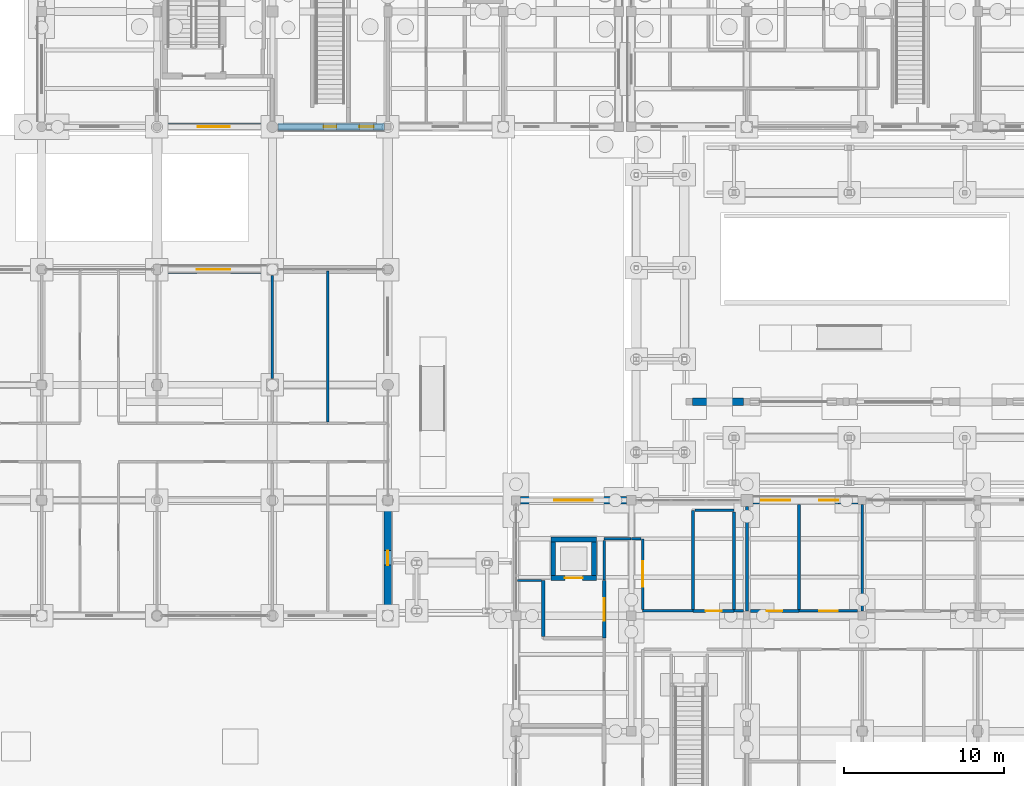
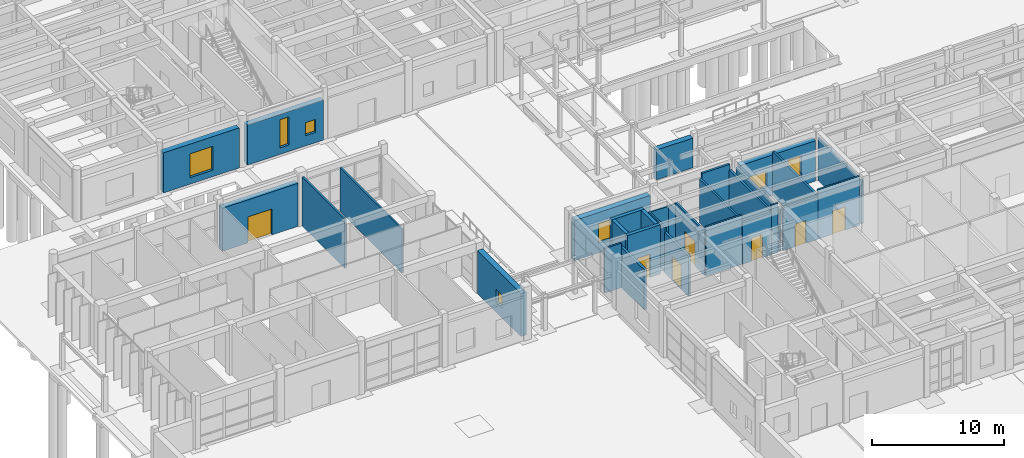
# One storey, part 97 of 143: 31 walls, 7 doors, 7 windows, 14 openings.
"""IFC4 building model written with IfcOpenShell, lengths in metres."""

from ifc_helpers import new_model, si_unit, direction, frame, frame_2d, origin, place, context, subcontext, project, spatial, rectangle, extrude, material, layer, layer_set, type_object, element, fill, save


model = new_model("IFC4")

# Units and contexts
model_context = context("Model", 3, precision=1e-05, world=origin(), true_north=direction((0.0, 1.0)))
body_context = subcontext(model_context, "Body", "Model", "MODEL_VIEW")
ifc_project = project(units=[si_unit("LENGTHUNIT", "METRE"), si_unit("AREAUNIT", "SQUARE_METRE"), si_unit("VOLUMEUNIT", "CUBIC_METRE"), si_unit("PLANEANGLEUNIT", "RADIAN"), si_unit("MASSUNIT", "GRAM", prefix="KILO")], contexts=[model_context])

# Site, building, storey
site_placement = place(None, origin())
site = spatial("IfcSite", under=ifc_project, at=site_placement, CompositionType="ELEMENT")
building_placement = place(site_placement, origin())
building = spatial("IfcBuilding", under=site, at=building_placement, Name="Steenspoor Specialist Clinic", CompositionType="ELEMENT")
storey_placement = place(building_placement, origin())
storey = spatial("IfcBuildingStorey", under=building, at=storey_placement, Name="L00", CompositionType="ELEMENT", Elevation=0.0)

# Wall, opening, window
ifc_material_1 = material(Name="Volcanic basalt ashlar masonry", Category="masonry")
ifc_layer_1 = layer(ifc_material_1, 0.47998046875)
ifc_layer_set_1 = layer_set([ifc_layer_1], Name="Volcanic basalt ashlar masonry")
wall_type_1 = type_object("IfcWallType", Name="W-BASALT-480", PredefinedType="SOLIDWALL", material=ifc_layer_set_1)
wall_1_placement = place(storey_placement, frame((45.47509765625, 41.85009765625, 0.0), z_axis=(0.0, 0.0, 1.0), x_axis=(1.0, 0.0, 0.0)))
wall_1 = element("IfcWall", 1, at=wall_1_placement, inside=storey, type_object=wall_type_1, Name="Exterior Brick Wall EW-V1-L00-0011", PredefinedType="SOLIDWALL", context=body_context, shape_type="SweptSolid", body=[
    extrude(rectangle(XDim=6.625, YDim=0.47998046875, at=frame_2d((3.3125, 0.0))), origin(), (0.0, 0.0, 1.0), 3.72998046875),
])
opening_1_placement = place(wall_1_placement, frame((2.112548828125, 0.0, 0.89990234375)))
opening_1 = element("IfcOpeningElement", 2, at=opening_1_placement, cuts=wall_1, Name="Opening WN-10", PredefinedType="OPENING", context=body_context, shape_type="SweptSolid", body=[
    extrude(rectangle(XDim=2.39990234375, YDim=1.800048828125, at=frame_2d((1.199951171875, 0.89990234375))), frame((0.0, 0.25, 0.0), z_axis=(0.0, -1.0, 0.0), x_axis=(1.0, 0.0, 0.0)), (0.0, 0.0, 1.0), 0.5),
])
ifc_material_2 = material(Name="Thermally broken aluminium and low-emissivity glass", Category="aluminium")
window_type_1 = type_object("IfcWindowType", Name="WN-EXT-240X180", PartitioningType="SINGLE_PANEL", PredefinedType="WINDOW", material=ifc_material_2)
window_1_placement = place(opening_1_placement, origin())
window_1 = element("IfcWindow", 3, at=window_1_placement, inside=storey, type_object=window_type_1, Name="Window 0010", OverallHeight=1.800048828125, OverallWidth=2.39990234375, PartitioningType="SINGLE_PANEL", PredefinedType="WINDOW", context=body_context, shape_type="SweptSolid", body=[
    extrude(rectangle(XDim=2.39990234375, YDim=1.800048828125, at=frame_2d((1.199951171875, 0.89990234375))), frame((0.0, 0.030029296875, 0.0), z_axis=(0.0, -1.0, 0.0), x_axis=(1.0, 0.0, 0.0)), (0.0, 0.0, 1.0), 0.06005859375),
])
fill(opening_1, window_1)

# Wall, openings, windows
wall_2_placement = place(storey_placement, frame((59.97509765625, 41.85009765625, 0.0), z_axis=(0.0, 0.0, 1.0), x_axis=(1.0, 0.0, 0.0)))
wall_2 = element("IfcWall", 4, at=wall_2_placement, inside=storey, type_object=wall_type_1, Name="Exterior Brick Wall EW-V1-L00-0012", PredefinedType="SOLIDWALL", context=body_context, shape_type="SweptSolid", body=[
    extrude(rectangle(XDim=6.574951171875, YDim=0.47998046875, at=frame_2d((3.28759765625, 0.0))), origin(), (0.0, 0.0, 1.0), 3.72998046875),
])
opening_2_placement = place(wall_2_placement, frame((0.527587890625, 0.0, 0.89990234375)))
opening_2 = element("IfcOpeningElement", 5, at=opening_2_placement, cuts=wall_2, Name="Opening WN-13", PredefinedType="OPENING", context=body_context, shape_type="SweptSolid", body=[
    extrude(rectangle(XDim=1.800048828125, YDim=1.5, at=frame_2d((0.89990234375, 0.75))), frame((0.0, 0.25, 0.0), z_axis=(0.0, -1.0, 0.0), x_axis=(1.0, 0.0, 0.0)), (0.0, 0.0, 1.0), 0.5),
])
opening_3_placement = place(wall_2_placement, frame((4.135009765625, 0.0, 0.60009765625)))
opening_3 = element("IfcOpeningElement", 6, at=opening_3_placement, cuts=wall_2, Name="Opening WN-15", PredefinedType="OPENING", context=body_context, shape_type="SweptSolid", body=[
    extrude(rectangle(XDim=1.199951171875, YDim=2.199951171875, at=frame_2d((0.60009765625, 1.10009765625))), frame((0.0, 0.25, 0.0), z_axis=(0.0, -1.0, 0.0), x_axis=(1.0, 0.0, 0.0)), (0.0, 0.0, 1.0), 0.5),
])
window_type_2 = type_object("IfcWindowType", Name="WN-EXT-120X220", PartitioningType="SINGLE_PANEL", PredefinedType="WINDOW", material=ifc_material_2)
window_2_placement = place(opening_3_placement, origin())
window_2 = element("IfcWindow", 7, at=window_2_placement, inside=storey, type_object=window_type_2, Name="Window 0012", OverallHeight=2.199951171875, OverallWidth=1.199951171875, PartitioningType="SINGLE_PANEL", PredefinedType="WINDOW", context=body_context, shape_type="SweptSolid", body=[
    extrude(rectangle(XDim=1.199951171875, YDim=2.199951171875, at=frame_2d((0.60009765625, 1.10009765625))), frame((0.0, 0.030029296875, 0.0), z_axis=(0.0, -1.0, 0.0), x_axis=(1.0, 0.0, 0.0)), (0.0, 0.0, 1.0), 0.06005859375),
])
fill(opening_3, window_2)
window_type_3 = type_object("IfcWindowType", Name="WN-EXT-180X150", PartitioningType="SINGLE_PANEL", PredefinedType="WINDOW", material=ifc_material_2)
window_3_placement = place(opening_2_placement, origin())
window_3 = element("IfcWindow", 8, at=window_3_placement, inside=storey, type_object=window_type_3, Name="Window 0011", OverallHeight=1.5, OverallWidth=1.800048828125, PartitioningType="SINGLE_PANEL", PredefinedType="WINDOW", context=body_context, shape_type="SweptSolid", body=[
    extrude(rectangle(XDim=1.800048828125, YDim=1.5, at=frame_2d((0.89990234375, 0.75))), frame((0.0, 0.030029296875, 0.0), z_axis=(0.0, -1.0, 0.0), x_axis=(1.0, 0.0, 0.0)), (0.0, 0.0, 1.0), 0.06005859375),
])
fill(opening_2, window_3)

# Wall, opening, door
wall_3_placement = place(storey_placement, frame((23.02490234375, 56.25, 0.0), z_axis=(0.0, 0.0, 1.0), x_axis=(1.0, 0.0, 0.0)))
wall_3 = element("IfcWall", 9, at=wall_3_placement, inside=storey, type_object=wall_type_1, Name="Exterior Brick Wall EW-V3-L00-0075", PredefinedType="SOLIDWALL", context=body_context, shape_type="SweptSolid", body=[
    extrude(rectangle(XDim=6.625, YDim=0.47998046875, at=frame_2d((3.3125, 0.0))), origin(), (0.0, 0.0, 1.0), 3.97998046875),
])
opening_4_placement = place(wall_3_placement, frame((2.262451171875, 0.0, 0.0)))
opening_4 = element("IfcOpeningElement", 10, at=opening_4_placement, cuts=wall_3, Name="Opening ED17", PredefinedType="OPENING", context=body_context, shape_type="SweptSolid", body=[
    extrude(rectangle(XDim=2.10009765625, YDim=2.39990234375, at=frame_2d((1.050048828125, 1.199951171875))), frame((0.0, 0.25, 0.0), z_axis=(0.0, -1.0, 0.0), x_axis=(1.0, 0.0, 0.0)), (0.0, 0.0, 1.0), 0.5),
])
ifc_material_3 = material(Name="Anodised aluminium and safety glass", Category="aluminium")
door_type_1 = type_object("IfcDoorType", Name="DT-EXIT-210X240", OperationType="NOTDEFINED", PredefinedType="DOOR", material=ifc_material_3)
door_1_placement = place(opening_4_placement, origin())
door_1 = element("IfcDoor", 11, at=door_1_placement, inside=storey, type_object=door_type_1, Name="Main Pedestrian Entrance Exit ED17", OperationType="DOUBLE_DOOR_SINGLE_SWING", OverallHeight=2.39990234375, OverallWidth=2.10009765625, PredefinedType="DOOR", context=body_context, shape_type="SweptSolid", body=[
    extrude(rectangle(XDim=2.10009765625, YDim=2.39990234375, at=frame_2d((1.050048828125, 1.199951171875))), frame((0.0, 0.02490234375, 0.0), z_axis=(0.0, -1.0, 0.0), x_axis=(1.0, 0.0, 0.0)), (0.0, 0.0, 1.0), 0.050048828125),
])
fill(opening_4, door_1)

# Wall, opening, window
wall_4_placement = place(storey_placement, frame((37.199951171875, 41.550048828125, 0.0), z_axis=(0.0, 0.0, 1.0), x_axis=(0.0, -1.0, 0.0)))
wall_4 = element("IfcWall", 12, at=wall_4_placement, inside=storey, type_object=wall_type_1, Name="Exterior Brick Wall EW-V3-L00-0077", PredefinedType="SOLIDWALL", context=body_context, shape_type="SweptSolid", body=[
    extrude(rectangle(XDim=6.574951171875, YDim=0.47998046875, at=frame_2d((3.28759765625, 0.0))), origin(), (0.0, 0.0, 1.0), 3.97998046875),
])
opening_5_placement = place(wall_4_placement, frame((2.83740234375, 0.0, 0.89990234375)))
opening_5 = element("IfcOpeningElement", 13, at=opening_5_placement, cuts=wall_4, Name="Opening WN-21", PredefinedType="OPENING", context=body_context, shape_type="SweptSolid", body=[
    extrude(rectangle(XDim=0.89990234375, YDim=1.199951171875, at=frame_2d((0.449951171875, 0.60009765625))), frame((0.0, 0.25, 0.0), z_axis=(0.0, -1.0, 0.0), x_axis=(1.0, 0.0, 0.0)), (0.0, 0.0, 1.0), 0.5),
])
window_type_4 = type_object("IfcWindowType", Name="WN-EXT-090X120", PartitioningType="SINGLE_PANEL", PredefinedType="WINDOW", material=ifc_material_2)
window_4_placement = place(opening_5_placement, origin())
window_4 = element("IfcWindow", 14, at=window_4_placement, inside=storey, type_object=window_type_4, Name="Window 0093", OverallHeight=1.199951171875, OverallWidth=0.89990234375, PartitioningType="SINGLE_PANEL", PredefinedType="WINDOW", context=body_context, shape_type="SweptSolid", body=[
    extrude(rectangle(XDim=0.89990234375, YDim=1.199951171875, at=frame_2d((0.449951171875, 0.60009765625))), frame((0.0, 0.030029296875, 0.0), z_axis=(0.0, -1.0, 0.0), x_axis=(1.0, 0.0, 0.0)), (0.0, 0.0, 1.0), 0.06005859375),
])
fill(opening_5, window_4)

# Wall, openings, windows
wall_5_placement = place(storey_placement, frame((37.0, 65.14990234375, 0.0), z_axis=(0.0, 0.0, 1.0), x_axis=(-1.0, 0.0, 0.0)))
wall_5 = element("IfcWall", 15, at=wall_5_placement, inside=storey, type_object=wall_type_1, Name="Exterior Brick Wall EW-V5-L00-0234", PredefinedType="SOLIDWALL", context=body_context, shape_type="SweptSolid", body=[
    extrude(rectangle(XDim=6.64990234375, YDim=0.47998046875, at=frame_2d((3.324951171875, 0.0))), origin(), (0.0, 0.0, 1.0), 3.699951171875),
])
opening_6_placement = place(wall_5_placement, frame((0.677490234375, 0.0, 0.949951171875)))
opening_6 = element("IfcOpeningElement", 16, at=opening_6_placement, cuts=wall_5, Name="Opening WN-21", PredefinedType="OPENING", context=body_context, shape_type="SweptSolid", body=[
    extrude(rectangle(XDim=0.89990234375, YDim=1.199951171875, at=frame_2d((0.449951171875, 0.60009765625))), frame((0.0, 0.25, 0.0), z_axis=(0.0, -1.0, 0.0), x_axis=(1.0, 0.0, 0.0)), (0.0, 0.0, 1.0), 0.5),
])
opening_7_placement = place(wall_5_placement, frame((3.0, 0.0, 0.60009765625)))
opening_7 = element("IfcOpeningElement", 17, at=opening_7_placement, cuts=wall_5, Name="Opening WN-24", PredefinedType="OPENING", context=body_context, shape_type="SweptSolid", body=[
    extrude(rectangle(XDim=0.800048828125, YDim=2.60009765625, at=frame_2d((0.39990234375, 1.300048828125))), frame((0.0, 0.25, 0.0), z_axis=(0.0, -1.0, 0.0), x_axis=(1.0, 0.0, 0.0)), (0.0, 0.0, 1.0), 0.5),
])
window_type_5 = type_object("IfcWindowType", Name="WN-EXT-080X260", PartitioningType="SINGLE_PANEL", PredefinedType="WINDOW", material=ifc_material_2)
window_5_placement = place(opening_7_placement, origin())
window_5 = element("IfcWindow", 18, at=window_5_placement, inside=storey, type_object=window_type_5, Name="Window 0256", OverallHeight=2.60009765625, OverallWidth=0.800048828125, PartitioningType="SINGLE_PANEL", PredefinedType="WINDOW", context=body_context, shape_type="SweptSolid", body=[
    extrude(rectangle(XDim=0.800048828125, YDim=2.60009765625, at=frame_2d((0.39990234375, 1.300048828125))), frame((0.0, 0.030029296875, 0.0), z_axis=(0.0, -1.0, 0.0), x_axis=(1.0, 0.0, 0.0)), (0.0, 0.0, 1.0), 0.06005859375),
])
fill(opening_7, window_5)
window_6_placement = place(opening_6_placement, origin())
window_6 = element("IfcWindow", 19, at=window_6_placement, inside=storey, type_object=window_type_4, Name="Window 0255", OverallHeight=1.199951171875, OverallWidth=0.89990234375, PartitioningType="SINGLE_PANEL", PredefinedType="WINDOW", context=body_context, shape_type="SweptSolid", body=[
    extrude(rectangle(XDim=0.89990234375, YDim=1.199951171875, at=frame_2d((0.449951171875, 0.60009765625))), frame((0.0, 0.030029296875, 0.0), z_axis=(0.0, -1.0, 0.0), x_axis=(1.0, 0.0, 0.0)), (0.0, 0.0, 1.0), 0.06005859375),
])
fill(opening_6, window_6)

# Wall, opening, window
wall_6_placement = place(storey_placement, frame((29.64990234375, 65.14990234375, 0.0), z_axis=(0.0, 0.0, 1.0), x_axis=(-1.0, 0.0, 0.0)))
wall_6 = element("IfcWall", 20, at=wall_6_placement, inside=storey, type_object=wall_type_1, Name="Exterior Brick Wall EW-V5-L00-0235", PredefinedType="SOLIDWALL", context=body_context, shape_type="SweptSolid", body=[
    extrude(rectangle(XDim=6.599853515625, YDim=0.47998046875, at=frame_2d((3.2998046875, 0.0))), origin(), (0.0, 0.0, 1.0), 3.699951171875),
])
opening_8_placement = place(wall_6_placement, frame((2.300048828125, 0.0, 0.60009765625)))
opening_8 = element("IfcOpeningElement", 21, at=opening_8_placement, cuts=wall_6, Name="Opening WN-17", PredefinedType="OPENING", context=body_context, shape_type="SweptSolid", body=[
    extrude(rectangle(XDim=2.0, YDim=2.199951171875, at=frame_2d((1.0, 1.10009765625))), frame((0.0, 0.25, 0.0), z_axis=(0.0, -1.0, 0.0), x_axis=(1.0, 0.0, 0.0)), (0.0, 0.0, 1.0), 0.5),
])
window_type_6 = type_object("IfcWindowType", Name="WN-EXT-200X220", PartitioningType="SINGLE_PANEL", PredefinedType="WINDOW", material=ifc_material_2)
window_7_placement = place(opening_8_placement, origin())
window_7 = element("IfcWindow", 22, at=window_7_placement, inside=storey, type_object=window_type_6, Name="Window 0257", OverallHeight=2.199951171875, OverallWidth=2.0, PartitioningType="SINGLE_PANEL", PredefinedType="WINDOW", context=body_context, shape_type="SweptSolid", body=[
    extrude(rectangle(XDim=2.0, YDim=2.199951171875, at=frame_2d((1.0, 1.10009765625))), frame((0.0, 0.030029296875, 0.0), z_axis=(0.0, -1.0, 0.0), x_axis=(1.0, 0.0, 0.0)), (0.0, 0.0, 1.0), 0.06005859375),
])
fill(opening_8, window_7)

# Walls
wall_7_placement = place(storey_placement, frame((56.2099609375, 48.0, 0.0), z_axis=(0.0, 0.0, 1.0), x_axis=(1.0, 0.0, 0.0)))
element("IfcWall", 23, at=wall_7_placement, inside=storey, type_object=wall_type_1, Name="Campus Courtyard Screen Wall YW-CT-01", PredefinedType="SOLIDWALL", context=body_context, shape_type="SweptSolid", body=[
    extrude(rectangle(XDim=3.179931640625, YDim=0.47998046875, at=frame_2d((1.58984375, 0.0))), origin(), (0.0, 0.0, 1.0), 2.75),
])
ifc_material_4 = material(Name="Gypsum acoustic clinical partition", Category="gypsum")
ifc_layer_2 = layer(ifc_material_4, 0.14990234375)
ifc_layer_set_2 = layer_set([ifc_layer_2], Name="Gypsum acoustic clinical partition")
wall_type_2 = type_object("IfcWallType", Name="W-CLIN-150", PredefinedType="PARTITIONING", material=ifc_layer_set_2)
wall_8_placement = place(storey_placement, frame((58.81494140625, 34.949951171875, 0.0), z_axis=(0.0, 0.0, 1.0), x_axis=(1.0, 0.0, 0.0)))
element("IfcWall", 24, at=wall_8_placement, inside=storey, type_object=wall_type_2, Name="Interior Partition IW-V1-L00-0158", PredefinedType="PARTITIONING", context=body_context, shape_type="SweptSolid", body=[
    extrude(rectangle(XDim=0.570068359375, YDim=0.14990234375, at=frame_2d((0.28515625, 0.0))), origin(), (0.0, 0.0, 1.0), 4.550048828125),
])
wall_9_placement = place(storey_placement, frame((53.10009765625, 34.949951171875, 0.0), z_axis=(0.0, 0.0, 1.0), x_axis=(1.0, 0.0, 0.0)))
element("IfcWall", 25, at=wall_9_placement, inside=storey, type_object=wall_type_2, Name="Interior Partition IW-V1-L00-0159", PredefinedType="PARTITIONING", context=body_context, shape_type="SweptSolid", body=[
    extrude(rectangle(XDim=3.135009765625, YDim=0.14990234375, at=frame_2d((1.5673828125, 0.0))), origin(), (0.0, 0.0, 1.0), 4.550048828125),
])

# Wall, opening, door
wall_10_placement = place(storey_placement, frame((53.10009765625, 35.0400390625, 0.0), z_axis=(0.0, 0.0, 1.0), x_axis=(0.0, 1.0, 0.0)))
wall_10 = element("IfcWall", 26, at=wall_10_placement, inside=storey, type_object=wall_type_2, Name="Interior Partition IW-V1-L00-0160", PredefinedType="PARTITIONING", context=body_context, shape_type="SweptSolid", body=[
    extrude(rectangle(XDim=4.409912109375, YDim=0.14990234375, at=frame_2d((2.205078125, 0.0))), origin(), (0.0, 0.0, 1.0), 4.074951171875),
])
opening_9_placement = place(wall_10_placement, frame((1.405029296875, 0.0, 0.0)))
opening_9 = element("IfcOpeningElement", 27, at=opening_9_placement, cuts=wall_10, Name="Opening D0037", PredefinedType="OPENING", context=body_context, shape_type="SweptSolid", body=[
    extrude(rectangle(XDim=1.60009765625, YDim=2.25, at=frame_2d((0.800048828125, 1.125))), frame((0.0, 0.0849609375, 0.0), z_axis=(0.0, -1.0, 0.0), x_axis=(1.0, 0.0, 0.0)), (0.0, 0.0, 1.0), 0.169921875),
])
ifc_material_5 = material(Name="Hygienic HPL clinical timber door", Category="wood")
door_type_2 = type_object("IfcDoorType", Name="DT-PROC-160X225", OperationType="NOTDEFINED", PredefinedType="DOOR", material=ifc_material_5)
door_2_placement = place(opening_9_placement, origin())
door_2 = element("IfcDoor", 28, at=door_2_placement, inside=storey, type_object=door_type_2, Name="Clinical Door D0037", OperationType="SINGLE_SWING_RIGHT", OverallHeight=2.25, OverallWidth=1.60009765625, PredefinedType="DOOR", context=body_context, shape_type="SweptSolid", body=[
    extrude(rectangle(XDim=1.60009765625, YDim=2.25, at=frame_2d((0.800048828125, 1.125))), frame((0.0, 0.02490234375, 0.0), z_axis=(0.0, -1.0, 0.0), x_axis=(1.0, 0.0, 0.0)), (0.0, 0.0, 1.0), 0.050048828125),
])
fill(opening_9, door_2)

# Walls
wall_11_placement = place(storey_placement, frame((52.39990234375, 39.449951171875, 0.0), z_axis=(0.0, 0.0, 1.0), x_axis=(1.0, 0.0, 0.0)))
element("IfcWall", 29, at=wall_11_placement, inside=storey, type_object=wall_type_2, Name="Interior Partition IW-V1-L00-0161", PredefinedType="PARTITIONING", context=body_context, shape_type="SweptSolid", body=[
    extrude(rectangle(XDim=0.610107421875, YDim=0.14990234375, at=frame_2d((0.30517578125, 0.0))), origin(), (0.0, 0.0, 1.0), 3.985107421875),
])
wall_12_placement = place(storey_placement, frame((50.699951171875, 39.449951171875, 0.0), z_axis=(0.0, 0.0, 1.0), x_axis=(1.0, 0.0, 0.0)))
element("IfcWall", 30, at=wall_12_placement, inside=storey, type_object=wall_type_2, Name="Interior Partition IW-V1-L00-0162", PredefinedType="PARTITIONING", context=body_context, shape_type="SweptSolid", body=[
    extrude(rectangle(XDim=1.68505859375, YDim=0.14990234375, at=frame_2d((0.842529296875, 0.0))), origin(), (0.0, 0.0, 1.0), 3.985107421875),
])
wall_13_placement = place(storey_placement, frame((50.699951171875, 36.864990234375, 0.0), z_axis=(0.0, 0.0, 1.0), x_axis=(0.0, 1.0, 0.0)))
element("IfcWall", 31, at=wall_13_placement, inside=storey, type_object=wall_type_2, Name="Interior Partition IW-V1-L00-0163", PredefinedType="PARTITIONING", context=body_context, shape_type="SweptSolid", body=[
    extrude(rectangle(XDim=2.4951171875, YDim=0.14990234375, at=frame_2d((1.24755859375, 0.0))), origin(), (0.0, 0.0, 1.0), 4.114990234375),
])

# Wall, opening, door
wall_14_placement = place(storey_placement, frame((62.864990234375, 34.949951171875, 0.0), z_axis=(0.0, 0.0, 1.0), x_axis=(1.0, 0.0, 0.0)))
wall_14 = element("IfcWall", 32, at=wall_14_placement, inside=storey, type_object=wall_type_2, Name="Interior Partition IW-V1-L00-0183", PredefinedType="PARTITIONING", context=body_context, shape_type="SweptSolid", body=[
    extrude(rectangle(XDim=3.64501953125, YDim=0.14990234375, at=frame_2d((1.822509765625, 0.0))), origin(), (0.0, 0.0, 1.0), 4.550048828125),
])
opening_10_placement = place(wall_14_placement, frame((1.24755859375, 0.0, 0.0)))
opening_10 = element("IfcOpeningElement", 33, at=opening_10_placement, cuts=wall_14, Name="Opening D0039", PredefinedType="OPENING", context=body_context, shape_type="SweptSolid", body=[
    extrude(rectangle(XDim=1.14990234375, YDim=2.14990234375, at=frame_2d((0.574951171875, 1.074951171875))), frame((0.0, 0.0849609375, 0.0), z_axis=(0.0, -1.0, 0.0), x_axis=(1.0, 0.0, 0.0)), (0.0, 0.0, 1.0), 0.169921875),
])
ifc_material_6 = material(Name="Solid-core hardwood clinical door", Category="wood")
door_type_3 = type_object("IfcDoorType", Name="DT-CONS-115X215", OperationType="NOTDEFINED", PredefinedType="DOOR", material=ifc_material_6)
door_3_placement = place(opening_10_placement, origin())
door_3 = element("IfcDoor", 34, at=door_3_placement, inside=storey, type_object=door_type_3, Name="Clinical Door D0039", OperationType="SINGLE_SWING_RIGHT", OverallHeight=2.14990234375, OverallWidth=1.14990234375, PredefinedType="DOOR", context=body_context, shape_type="SweptSolid", body=[
    extrude(rectangle(XDim=1.14990234375, YDim=2.14990234375, at=frame_2d((0.574951171875, 1.074951171875))), frame((0.0, 0.02490234375, 0.0), z_axis=(0.0, -1.0, 0.0), x_axis=(1.0, 0.0, 0.0)), (0.0, 0.0, 1.0), 0.050048828125),
])
fill(opening_10, door_3)

# Walls
wall_15_placement = place(storey_placement, frame((45.304931640625, 36.85009765625, 0.0), z_axis=(0.0, 0.0, 1.0), x_axis=(1.0, 0.0, 0.0)))
element("IfcWall", 35, at=wall_15_placement, inside=storey, type_object=wall_type_2, Name="Interior Partition IW-V1-L00-0544", PredefinedType="PARTITIONING", context=body_context, shape_type="SweptSolid", body=[
    extrude(rectangle(XDim=1.47998046875, YDim=0.14990234375, at=frame_2d((0.739990234375, 0.0))), origin(), (0.0, 0.0, 1.0), 4.114990234375),
])
wall_16_placement = place(storey_placement, frame((66.800048828125, 34.949951171875, 0.0), z_axis=(0.0, 0.0, 1.0), x_axis=(0.0, 1.0, 0.0)))
element("IfcWall", 36, at=wall_16_placement, inside=storey, type_object=wall_type_2, Name="Interior Partition IW-V1-L00-0565", PredefinedType="PARTITIONING", context=body_context, shape_type="SweptSolid", body=[
    extrude(rectangle(XDim=6.635009765625, YDim=0.14990234375, at=frame_2d((3.3173828125, 0.0))), origin(), (0.0, 0.0, 1.0), 3.955078125),
])
wall_17_placement = place(storey_placement, frame((30.0, 49.43994140625, 0.0), z_axis=(0.0, 0.0, 1.0), x_axis=(0.0, 1.0, 0.0)))
element("IfcWall", 37, at=wall_17_placement, inside=storey, type_object=wall_type_2, Name="Interior Partition IW-V3-L00-0596", PredefinedType="PARTITIONING", context=body_context, shape_type="SweptSolid", body=[
    extrude(rectangle(XDim=6.445068359375, YDim=0.14990234375, at=frame_2d((3.22265625, 0.0))), origin(), (0.0, 0.0, 1.0), 4.550048828125),
])
wall_18_placement = place(storey_placement, frame((33.449951171875, 46.739990234375, 0.0), z_axis=(0.0, 0.0, 1.0), x_axis=(0.0, 1.0, 0.0)))
element("IfcWall", 38, at=wall_18_placement, inside=storey, type_object=wall_type_2, Name="Interior Partition IW-V3-L00-0597", PredefinedType="PARTITIONING", context=body_context, shape_type="SweptSolid", body=[
    extrude(rectangle(XDim=9.405029296875, YDim=0.14990234375, at=frame_2d((4.70263671875, 0.0))), origin(), (0.0, 0.0, 1.0), 4.0400390625),
])

# Wall, opening, door
ifc_material_7 = material(Name="Moisture-resistant gypsum plumbing wall", Category="gypsum")
ifc_layer_3 = layer(ifc_material_7, 0.179931640625)
ifc_layer_set_3 = layer_set([ifc_layer_3], Name="Moisture-resistant gypsum plumbing wall")
wall_type_3 = type_object("IfcWallType", Name="W-PLUMB-180", PredefinedType="PLUMBINGWALL", material=ifc_layer_set_3)
wall_19_placement = place(storey_placement, frame((56.25, 34.949951171875, 0.0), z_axis=(0.0, 0.0, 1.0), x_axis=(1.0, 0.0, 0.0)))
wall_19 = element("IfcWall", 39, at=wall_19_placement, inside=storey, type_object=wall_type_3, Name="Interior Partition IW-V1-L00-0010", PredefinedType="PLUMBINGWALL", context=body_context, shape_type="SweptSolid", body=[
    extrude(rectangle(XDim=2.550048828125, YDim=0.179931640625, at=frame_2d((1.27490234375, 0.0))), origin(), (0.0, 0.0, 1.0), 3.8349609375),
])
opening_11_placement = place(wall_19_placement, frame((0.77490234375, 0.0, 0.0)))
opening_11 = element("IfcOpeningElement", 40, at=opening_11_placement, cuts=wall_19, Name="Opening D0036", PredefinedType="OPENING", context=body_context, shape_type="SweptSolid", body=[
    extrude(rectangle(XDim=1.0, YDim=2.14990234375, at=frame_2d((0.5, 1.074951171875))), frame((0.0, 0.10009765625, 0.0), z_axis=(0.0, -1.0, 0.0), x_axis=(1.0, 0.0, 0.0)), (0.0, 0.0, 1.0), 0.199951171875),
])
ifc_material_8 = material(Name="Moisture-resistant HPL accessible WC door", Category="wood")
door_type_4 = type_object("IfcDoorType", Name="DT-AWC-100X215", OperationType="NOTDEFINED", PredefinedType="DOOR", material=ifc_material_8)
door_4_placement = place(opening_11_placement, origin())
door_4 = element("IfcDoor", 41, at=door_4_placement, inside=storey, type_object=door_type_4, Name="Clinical Door D0036", OperationType="SINGLE_SWING_LEFT", OverallHeight=2.14990234375, OverallWidth=1.0, PredefinedType="DOOR", context=body_context, shape_type="SweptSolid", body=[
    extrude(rectangle(XDim=1.0, YDim=2.14990234375, at=frame_2d((0.5, 1.074951171875))), frame((0.0, 0.02490234375, 0.0), z_axis=(0.0, -1.0, 0.0), x_axis=(1.0, 0.0, 0.0)), (0.0, 0.0, 1.0), 0.050048828125),
])
fill(opening_11, door_4)

# Walls
wall_20_placement = place(storey_placement, frame((56.25, 35.054931640625, 0.0), z_axis=(0.0, 0.0, 1.0), x_axis=(0.0, 1.0, 0.0)))
element("IfcWall", 42, at=wall_20_placement, inside=storey, type_object=wall_type_3, Name="Interior Partition IW-V1-L00-0030", PredefinedType="PLUMBINGWALL", context=body_context, shape_type="SweptSolid", body=[
    extrude(rectangle(XDim=6.175048828125, YDim=0.179931640625, at=frame_2d((3.08740234375, 0.0))), origin(), (0.0, 0.0, 1.0), 4.074951171875),
])
wall_21_placement = place(storey_placement, frame((56.35498046875, 41.22998046875, 0.0), z_axis=(0.0, 0.0, 1.0), x_axis=(1.0, 0.0, 0.0)))
element("IfcWall", 43, at=wall_21_placement, inside=storey, type_object=wall_type_3, Name="Interior Partition IW-V1-L00-0031", PredefinedType="PLUMBINGWALL", context=body_context, shape_type="SweptSolid", body=[
    extrude(rectangle(XDim=2.445068359375, YDim=0.179931640625, at=frame_2d((1.22265625, 0.0))), origin(), (0.0, 0.0, 1.0), 4.550048828125),
])
wall_22_placement = place(storey_placement, frame((58.800048828125, 35.054931640625, 0.0), z_axis=(0.0, 0.0, 1.0), x_axis=(0.0, 1.0, 0.0)))
element("IfcWall", 44, at=wall_22_placement, inside=storey, type_object=wall_type_3, Name="Interior Partition IW-V1-L00-0032", PredefinedType="PLUMBINGWALL", context=body_context, shape_type="SweptSolid", body=[
    extrude(rectangle(XDim=6.070068359375, YDim=0.179931640625, at=frame_2d((3.03515625, 0.0))), origin(), (0.0, 0.0, 1.0), 4.074951171875),
])

# Wall, opening, door
wall_23_placement = place(storey_placement, frame((59.81494140625, 34.949951171875, 0.0), z_axis=(0.0, 0.0, 1.0), x_axis=(1.0, 0.0, 0.0)))
wall_23 = element("IfcWall", 45, at=wall_23_placement, inside=storey, type_object=wall_type_3, Name="Interior Partition IW-V1-L00-0130", PredefinedType="PLUMBINGWALL", context=body_context, shape_type="SweptSolid", body=[
    extrude(rectangle(XDim=3.03515625, YDim=0.179931640625, at=frame_2d((1.517578125, 0.0))), origin(), (0.0, 0.0, 1.0), 3.955078125),
])
opening_12_placement = place(wall_23_placement, frame((1.04248046875, 0.0, 0.0)))
opening_12 = element("IfcOpeningElement", 46, at=opening_12_placement, cuts=wall_23, Name="Opening D0038", PredefinedType="OPENING", context=body_context, shape_type="SweptSolid", body=[
    extrude(rectangle(XDim=0.949951171875, YDim=2.10009765625, at=frame_2d((0.47509765625, 1.050048828125))), frame((0.0, 0.10009765625, 0.0), z_axis=(0.0, -1.0, 0.0), x_axis=(1.0, 0.0, 0.0)), (0.0, 0.0, 1.0), 0.199951171875),
])
ifc_material_9 = material(Name="Moisture-resistant HPL sanitary door", Category="wood")
door_type_5 = type_object("IfcDoorType", Name="DT-WC-095X210", OperationType="NOTDEFINED", PredefinedType="DOOR", material=ifc_material_9)
door_5_placement = place(opening_12_placement, origin())
door_5 = element("IfcDoor", 47, at=door_5_placement, inside=storey, type_object=door_type_5, Name="Clinical Door D0038", OperationType="SINGLE_SWING_LEFT", OverallHeight=2.10009765625, OverallWidth=0.949951171875, PredefinedType="DOOR", context=body_context, shape_type="SweptSolid", body=[
    extrude(rectangle(XDim=0.949951171875, YDim=2.10009765625, at=frame_2d((0.47509765625, 1.050048828125))), frame((0.0, 0.02490234375, 0.0), z_axis=(0.0, -1.0, 0.0), x_axis=(1.0, 0.0, 0.0)), (0.0, 0.0, 1.0), 0.050048828125),
])
fill(opening_12, door_5)

# Walls
wall_24_placement = place(storey_placement, frame((59.60009765625, 34.949951171875, 0.0), z_axis=(0.0, 0.0, 1.0), x_axis=(0.0, 1.0, 0.0)))
element("IfcWall", 48, at=wall_24_placement, inside=storey, type_object=wall_type_3, Name="Interior Partition IW-V1-L00-0508", PredefinedType="PLUMBINGWALL", context=body_context, shape_type="SweptSolid", body=[
    extrude(rectangle(XDim=6.510009765625, YDim=0.179931640625, at=frame_2d((3.2548828125, 0.0))), origin(), (0.0, 0.0, 1.0), 3.8349609375),
])
wall_25_placement = place(storey_placement, frame((62.85009765625, 35.054931640625, 0.0), z_axis=(0.0, 0.0, 1.0), x_axis=(0.0, 1.0, 0.0)))
element("IfcWall", 49, at=wall_25_placement, inside=storey, type_object=wall_type_3, Name="Interior Partition IW-V1-L00-0509", PredefinedType="PLUMBINGWALL", context=body_context, shape_type="SweptSolid", body=[
    extrude(rectangle(XDim=6.5400390625, YDim=0.179931640625, at=frame_2d((3.27001953125, 0.0))), origin(), (0.0, 0.0, 1.0), 4.074951171875),
])

# Wall, opening, door
ifc_material_10 = material(Name="Gypsum acoustic smoke barrier board", Category="gypsum")
ifc_layer_4 = layer(ifc_material_10, 0.199951171875)
ifc_layer_set_4 = layer_set([ifc_layer_4], Name="Gypsum acoustic smoke barrier board")
wall_type_4 = type_object("IfcWallType", Name="W-SMOKE-200", PredefinedType="PARTITIONING", material=ifc_layer_set_4)
wall_26_placement = place(storey_placement, frame((50.699951171875, 33.25, 0.0), z_axis=(0.0, 0.0, 1.0), x_axis=(0.0, 1.0, 0.0)))
wall_26 = element("IfcWall", 50, at=wall_26_placement, inside=storey, type_object=wall_type_4, Name="Interior Partition IW-V1-L00-0003", PredefinedType="PARTITIONING", context=body_context, shape_type="SweptSolid", body=[
    extrude(rectangle(XDim=3.60009765625, YDim=0.199951171875, at=frame_2d((1.800048828125, 0.0))), origin(), (0.0, 0.0, 1.0), 3.735107421875),
])
opening_13_placement = place(wall_26_placement, frame((1.10009765625, 0.0, 0.0)))
opening_13 = element("IfcOpeningElement", 51, at=opening_13_placement, cuts=wall_26, Name="Opening D0001", PredefinedType="OPENING", context=body_context, shape_type="SweptSolid", body=[
    extrude(rectangle(XDim=1.39990234375, YDim=2.199951171875, at=frame_2d((0.699951171875, 1.10009765625))), frame((0.0, 0.10986328125, 0.0), z_axis=(0.0, -1.0, 0.0), x_axis=(1.0, 0.0, 0.0)), (0.0, 0.0, 1.0), 0.219970703125),
])
ifc_material_11 = material(Name="Fire-rated clinical laminate door", Category="steel")
door_type_6 = type_object("IfcDoorType", Name="DT-LAB-140X220", OperationType="NOTDEFINED", PredefinedType="DOOR", material=ifc_material_11)
door_6_placement = place(opening_13_placement, origin())
door_6 = element("IfcDoor", 52, at=door_6_placement, inside=storey, type_object=door_type_6, Name="Lift Lobby Fire Door D0001", OperationType="SINGLE_SWING_RIGHT", OverallHeight=2.199951171875, OverallWidth=1.39990234375, PredefinedType="DOOR", context=body_context, shape_type="SweptSolid", body=[
    extrude(rectangle(XDim=1.39990234375, YDim=2.199951171875, at=frame_2d((0.699951171875, 1.10009765625))), frame((0.0, 0.02490234375, 0.0), z_axis=(0.0, -1.0, 0.0), x_axis=(1.0, 0.0, 0.0)), (0.0, 0.0, 1.0), 0.050048828125),
])
fill(opening_13, door_6)

# Wall
wall_27_placement = place(storey_placement, frame((46.89990234375, 33.364990234375, 0.0), z_axis=(0.0, 0.0, 1.0), x_axis=(0.0, 1.0, 0.0)))
element("IfcWall", 53, at=wall_27_placement, inside=storey, type_object=wall_type_4, Name="Interior Partition IW-V1-L00-0024", PredefinedType="PARTITIONING", context=body_context, shape_type="SweptSolid", body=[
    extrude(rectangle(XDim=3.485107421875, YDim=0.199951171875, at=frame_2d((1.74267578125, 0.0))), origin(), (0.0, 0.0, 1.0), 3.735107421875),
])

# Wall, opening, door
ifc_material_12 = material(Name="Concrete C40/50", Category="concrete")
ifc_layer_5 = layer(ifc_material_12, 0.300048828125)
ifc_layer_set_5 = layer_set([ifc_layer_5], Name="Concrete C40/50")
wall_type_5 = type_object("IfcWallType", Name="W-SW-300", PredefinedType="SHEAR", material=ifc_layer_set_5)
wall_28_placement = place(storey_placement, frame((47.375, 37.0, 0.0), z_axis=(0.0, 0.0, 1.0), x_axis=(1.0, 0.0, 0.0)))
wall_28 = element("IfcWall", 54, at=wall_28_placement, inside=storey, type_object=wall_type_5, Name="Lift Shaft Shear Wall SW-EL-P4-L00-S", PredefinedType="SHEAR", context=body_context, shape_type="SweptSolid", body=[
    extrude(rectangle(XDim=2.85009765625, YDim=0.300048828125, at=frame_2d((1.425048828125, 0.0))), origin(), (0.0, 0.0, 1.0), 4.550048828125),
])
opening_14_placement = place(wall_28_placement, frame((0.875, 0.0, 0.0)))
opening_14 = element("IfcOpeningElement", 55, at=opening_14_placement, cuts=wall_28, Name="Opening LD27", PredefinedType="OPENING", context=body_context, shape_type="SweptSolid", body=[
    extrude(rectangle(XDim=1.10009765625, YDim=2.14990234375, at=frame_2d((0.550048828125, 1.074951171875))), frame((0.0, 0.16015625, 0.0), z_axis=(0.0, -1.0, 0.0), x_axis=(1.0, 0.0, 0.0)), (0.0, 0.0, 1.0), 0.320068359375),
])
ifc_material_13 = material(Name="Stainless steel lift landing door", Category="steel")
door_type_7 = type_object("IfcDoorType", Name="DT-LIFT-P-110", OperationType="NOTDEFINED", PredefinedType="DOOR", material=ifc_material_13)
door_7_placement = place(opening_14_placement, origin())
door_7 = element("IfcDoor", 56, at=door_7_placement, inside=storey, type_object=door_type_7, Name="Lift Landing Door LD27", OperationType="SLIDING_TO_LEFT", OverallHeight=2.14990234375, OverallWidth=1.10009765625, PredefinedType="DOOR", context=body_context, shape_type="SweptSolid", body=[
    extrude(rectangle(XDim=1.10009765625, YDim=2.14990234375, at=frame_2d((0.550048828125, 1.074951171875))), frame((0.0, 0.02490234375, 0.0), z_axis=(0.0, -1.0, 0.0), x_axis=(1.0, 0.0, 0.0)), (0.0, 0.0, 1.0), 0.050048828125),
])
fill(opening_14, door_7)

# Walls
wall_29_placement = place(storey_placement, frame((47.375, 39.39990234375, 0.0), z_axis=(0.0, 0.0, 1.0), x_axis=(1.0, 0.0, 0.0)))
element("IfcWall", 57, at=wall_29_placement, inside=storey, type_object=wall_type_5, Name="Lift Shaft Shear Wall SW-EL-P4-L00-N", PredefinedType="SHEAR", context=body_context, shape_type="SweptSolid", body=[
    extrude(rectangle(XDim=2.85009765625, YDim=0.300048828125, at=frame_2d((1.425048828125, 0.0))), origin(), (0.0, 0.0, 1.0), 4.550048828125),
])
for number, where, z_axis, x_axis, name in (
    (58, (47.52490234375, 37.14990234375, 0.0), (0.0, 0.0, 1.0), (0.0, 1.0, 0.0), "Lift Shaft Shear Wall SW-EL-P4-L00-W"),
    (59, (50.074951171875, 37.14990234375, 0.0), (0.0, 0.0, 1.0), (0.0, 1.0, 0.0), "Lift Shaft Shear Wall SW-EL-P4-L00-E"),
):
    element("IfcWall", number, at=place(storey_placement, frame(where, z_axis=z_axis, x_axis=x_axis)), inside=storey, type_object=wall_type_5, Name=name, PredefinedType="SHEAR", context=body_context, shape_type="SweptSolid", body=[
        extrude(rectangle(XDim=2.10009765625, YDim=0.300048828125, at=frame_2d((1.050048828125, 0.0))), origin(), (0.0, 0.0, 1.0), 4.550048828125),
    ])

save(model, "model.ifc")
